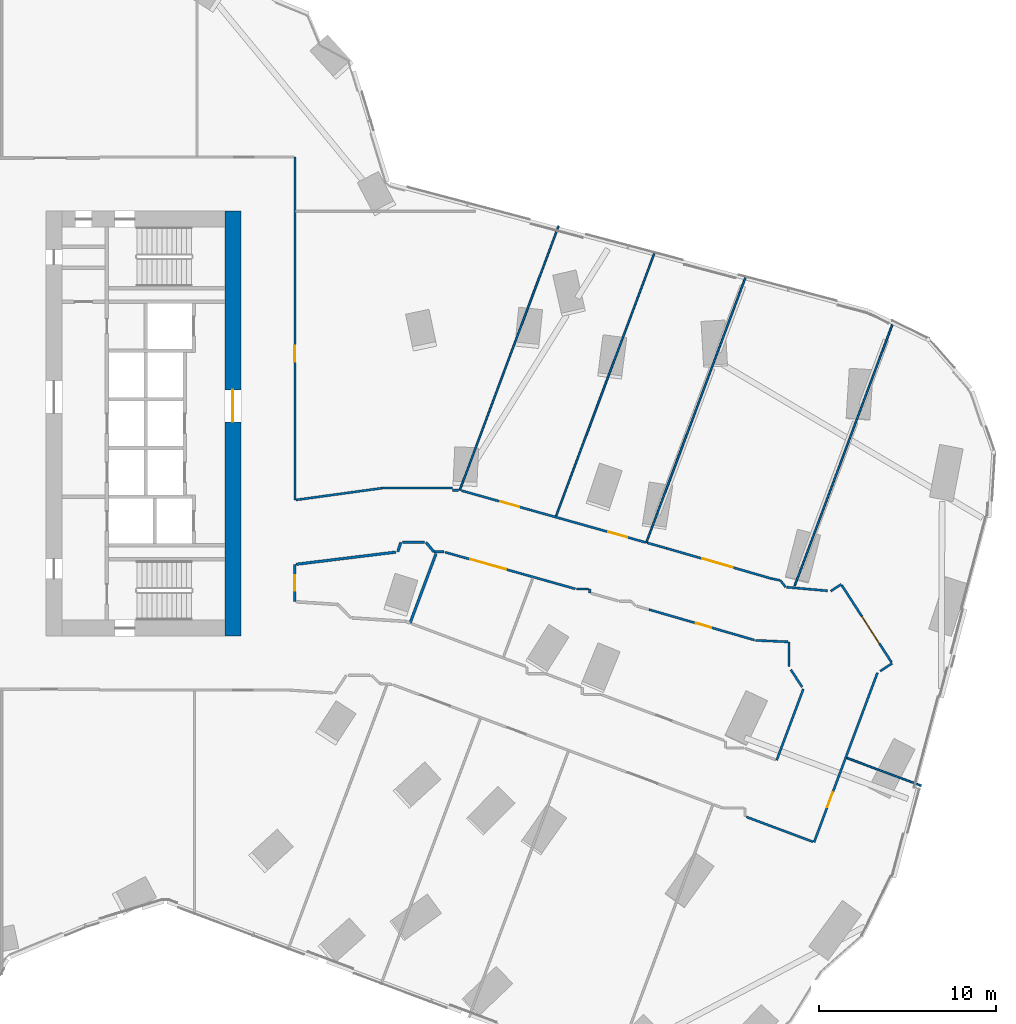
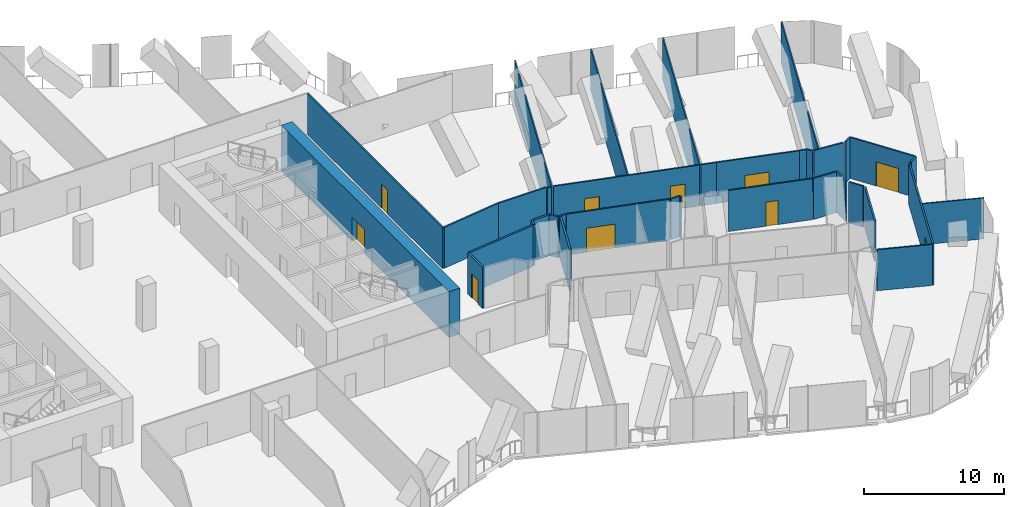
# One storey, part 29 of 34: 36 walls, 10 doors, 10 openings.
"""IFC4 building model written with IfcOpenShell, lengths in metres."""

from ifc_helpers import new_model, si_unit, direction, frame, frame_2d, origin, place, context, subcontext, project, spatial, rectangle, extrude, material, layer, layer_set, type_object, element, fill, save


model = new_model("IFC4")

# Units and contexts
model_context = context("Model", 3, precision=1e-05, world=origin(), true_north=direction((0.0, 1.0)))
body_context = subcontext(model_context, "Body", "Model", "MODEL_VIEW")
ifc_project = project(units=[si_unit("LENGTHUNIT", "METRE"), si_unit("AREAUNIT", "SQUARE_METRE"), si_unit("VOLUMEUNIT", "CUBIC_METRE"), si_unit("PLANEANGLEUNIT", "RADIAN"), si_unit("MASSUNIT", "GRAM", prefix="KILO")], contexts=[model_context])

# Site, building, storey
site_placement = place(None, origin())
site = spatial("IfcSite", under=ifc_project, at=site_placement, CompositionType="ELEMENT")
building_placement = place(site_placement, origin())
building = spatial("IfcBuilding", under=site, at=building_placement, Name="Orlundy Tower", CompositionType="ELEMENT")
storey_placement = place(building_placement, frame((0.0, 0.0, 98.199951171875)))
storey = spatial("IfcBuildingStorey", under=building, at=storey_placement, Name="L24", CompositionType="ELEMENT", Elevation=98.199951171875)

# Wall, opening, door
ifc_material_1 = material(Name="Concrete C80/95", Category="concrete")
ifc_layer_1 = layer(ifc_material_1, 0.89990234375)
ifc_layer_set_1 = layer_set([ifc_layer_1], Name="CORE WALL 900 C80/95")
wall_type_1 = type_object("IfcWallType", Name="CORE WALL 900 C80/95", PredefinedType="SHEAR", material=ifc_layer_set_1)
wall_1_placement = place(storey_placement, frame((18.550048828125, -12.0, 0.0), z_axis=(0.0, 0.0, 1.0), x_axis=(0.0, 1.0, 0.0)))
wall_1 = element("IfcWall", 1, at=wall_1_placement, inside=storey, type_object=wall_type_1, Name="Core wall E-E L24", PredefinedType="SHEAR", context=body_context, shape_type="SweptSolid", body=[
    extrude(rectangle(XDim=24.0, YDim=0.89990234375, at=frame_2d((12.0, 0.0))), origin(), (0.0, 0.0, 1.0), 4.0),
])
opening_1_placement = place(wall_1_placement, frame((12.10009765625, 0.0, 0.0)))
opening_1 = element("IfcOpeningElement", 2, at=opening_1_placement, cuts=wall_1, Name="Opening 19059", PredefinedType="OPENING", context=body_context, shape_type="SweptSolid", body=[
    extrude(rectangle(XDim=1.800048828125, YDim=2.10009765625, at=frame_2d((0.89990234375, 1.050048828125))), frame((0.0, 0.4599609375, 0.0), z_axis=(0.0, -1.0, 0.0), x_axis=(1.0, 0.0, 0.0)), (0.0, 0.0, 1.0), 0.919921875),
])
ifc_material_2 = material(Name="Timber door set", Category="wood")
door_type_1 = type_object("IfcDoorType", Name="Lobby Door 1800x2100", OperationType="DOUBLE_DOOR_DOUBLE_SWING", PredefinedType="DOOR", material=ifc_material_2)
door_1_placement = place(opening_1_placement, origin())
door_1 = element("IfcDoor", 3, at=door_1_placement, inside=storey, type_object=door_type_1, Name="Lift lobby door 19059", OperationType="SINGLE_SWING_RIGHT", OverallHeight=2.10009765625, OverallWidth=1.800048828125, PredefinedType="DOOR", context=body_context, shape_type="SweptSolid", body=[
    extrude(rectangle(XDim=1.800048828125, YDim=2.10009765625, at=frame_2d((0.89990234375, 1.050048828125))), frame((0.0, 0.02490234375, 0.0), z_axis=(0.0, -1.0, 0.0), x_axis=(1.0, 0.0, 0.0)), (0.0, 0.0, 1.0), 0.050048828125),
])
fill(opening_1, door_1)

# Walls
ifc_material_3 = material(Name="Gypsum board partition")
ifc_layer_2 = layer(ifc_material_3, 0.10009765625)
ifc_layer_set_2 = layer_set([ifc_layer_2], Name="Floor partition 100")
wall_type_2 = type_object("IfcWallType", Name="Floor partition 100", PredefinedType="PARTITIONING", material=ifc_layer_set_2)
wall_2_placement = place(storey_placement, frame((53.221923828125, -18.8779296875, 0.0), z_axis=(0.0, 0.0, 1.0), x_axis=(0.936641604778, -0.350289172254, 0.0)))
element("IfcWall", 4, at=wall_2_placement, inside=storey, type_object=wall_type_2, Name="wall-int-L24-029", PredefinedType="PARTITIONING", context=body_context, shape_type="SweptSolid", body=[
    extrude(rectangle(XDim=4.490478515625, YDim=0.10009765625, at=frame_2d((2.2451171875, 0.0))), origin(), (0.0, 0.0, 1.0), 3.580078125),
])
wall_3_placement = place(storey_placement, frame((50.277099609375, -9.157958984375, 0.0), z_axis=(0.0, 0.0, 1.0), x_axis=(0.350194162307, 0.936677131506, 0.0)))
element("IfcWall", 5, at=wall_3_placement, inside=storey, type_object=wall_type_2, Name="wall-int-L24-106", PredefinedType="PARTITIONING", context=body_context, shape_type="SweptSolid", body=[
    extrude(rectangle(XDim=16.010986328125, YDim=0.10009765625, at=frame_2d((8.00537109375, 0.0))), origin(), (0.0, 0.0, 1.0), 3.580078125),
])
wall_4_placement = place(storey_placement, frame((41.90087890625, -6.718017578125, 0.0), z_axis=(0.0, 0.0, 1.0), x_axis=(0.35023728631, 0.936661007664, 0.0)))
element("IfcWall", 6, at=wall_4_placement, inside=storey, type_object=wall_type_2, Name="wall-int-L24-108", PredefinedType="PARTITIONING", context=body_context, shape_type="SweptSolid", body=[
    extrude(rectangle(XDim=16.095458984375, YDim=0.10009765625, at=frame_2d((8.0478515625, 0.0))), origin(), (0.0, 0.0, 1.0), 3.580078125),
])
wall_5_placement = place(storey_placement, frame((36.802978515625, -5.219970703125, 0.0), z_axis=(0.0, 0.0, 1.0), x_axis=(0.350173943888, 0.936684690289, 0.0)))
element("IfcWall", 7, at=wall_5_placement, inside=storey, type_object=wall_type_2, Name="wall-int-L24-111", PredefinedType="PARTITIONING", context=body_context, shape_type="SweptSolid", body=[
    extrude(rectangle(XDim=15.951904296875, YDim=0.10009765625, at=frame_2d((7.97607421875, 0.0))), origin(), (0.0, 0.0, 1.0), 3.580078125),
])
wall_6_placement = place(storey_placement, frame((31.361083984375, -3.763916015625, 0.0), z_axis=(0.0, 0.0, 1.0), x_axis=(0.35022519788, 0.936665527694, 0.0)))
element("IfcWall", 8, at=wall_6_placement, inside=storey, type_object=wall_type_2, Name="wall-int-L24-114", PredefinedType="PARTITIONING", context=body_context, shape_type="SweptSolid", body=[
    extrude(rectangle(XDim=15.9384765625, YDim=0.10009765625, at=frame_2d((7.96923828125, 0.0))), origin(), (0.0, 0.0, 1.0), 3.580078125),
])

# Wall, opening, door
ifc_material_4 = material(Name="Gypsum board partition, double layer")
ifc_layer_3 = layer(ifc_material_4, 0.125)
ifc_layer_set_3 = layer_set([ifc_layer_3], Name="Floor partition 125")
wall_type_3 = type_object("IfcWallType", Name="Floor partition 125", PredefinedType="PARTITIONING", material=ifc_layer_set_3)
wall_7_placement = place(storey_placement, frame((52.93896484375, -9.1298828125, 0.0), z_axis=(0.0, 0.0, 1.0), x_axis=(0.542438130709, -0.840095753086, 0.0)))
wall_7 = element("IfcWall", 9, at=wall_7_placement, inside=storey, type_object=wall_type_3, Name="wall-int-L24-006", PredefinedType="PARTITIONING", context=body_context, shape_type="SweptSolid", body=[
    extrude(rectangle(XDim=5.180419921875, YDim=0.125, at=frame_2d((2.59033203125, 0.0))), origin(), (0.0, 0.0, 1.0), 3.580078125),
])
opening_2_placement = place(wall_7_placement, frame((2.096923828125, 0.0, 0.0)))
opening_2 = element("IfcOpeningElement", 10, at=opening_2_placement, cuts=wall_7, Name="Opening 19106", PredefinedType="OPENING", context=body_context, shape_type="SweptSolid", body=[
    extrude(rectangle(XDim=1.800048828125, YDim=2.10009765625, at=frame_2d((0.89990234375, 1.050048828125))), frame((0.0, 0.072509765625, 0.0), z_axis=(0.0, -1.0, 0.0), x_axis=(1.0, 0.0, 0.0)), (0.0, 0.0, 1.0), 0.14501953125),
])
ifc_material_5 = material(Name="Timber door leaf", Category="wood")
door_type_2 = type_object("IfcDoorType", Name="Floor door double 1800 FD30S", OperationType="NOTDEFINED", PredefinedType="DOOR", material=ifc_material_5)
door_2_placement = place(opening_2_placement, origin())
door_2 = element("IfcDoor", 11, at=door_2_placement, inside=storey, type_object=door_type_2, Name="Door 19106", OperationType="DOUBLE_DOOR_SINGLE_SWING", OverallHeight=2.10009765625, OverallWidth=1.800048828125, PredefinedType="DOOR", context=body_context, shape_type="SweptSolid", body=[
    extrude(rectangle(XDim=1.800048828125, YDim=2.10009765625, at=frame_2d((0.89990234375, 1.050048828125))), frame((0.0, 0.02490234375, 0.0), z_axis=(0.0, -1.0, 0.0), x_axis=(1.0, 0.0, 0.0)), (0.0, 0.0, 1.0), 0.050048828125),
])
fill(opening_2, door_2)

# Walls
wall_8_placement = place(storey_placement, frame((50.06591796875, -13.90087890625, 0.0), z_axis=(0.0, 0.0, 1.0), x_axis=(0.543589710843, -0.839351074501, 0.0)))
element("IfcWall", 12, at=wall_8_placement, inside=storey, type_object=wall_type_3, Name="wall-int-L24-007", PredefinedType="PARTITIONING", context=body_context, shape_type="SweptSolid", body=[
    extrude(rectangle(XDim=1.16650390625, YDim=0.125, at=frame_2d((0.583251953125, 0.0))), origin(), (0.0, 0.0, 1.0), 3.580078125),
])
wall_9_placement = place(storey_placement, frame((47.552001953125, -22.2109375, 0.0), z_axis=(0.0, 0.0, 1.0), x_axis=(0.936775397806, -0.349931213334, 0.0)))
element("IfcWall", 13, at=wall_9_placement, inside=storey, type_object=wall_type_3, Name="wall-int-L24-024", PredefinedType="PARTITIONING", context=body_context, shape_type="SweptSolid", body=[
    extrude(rectangle(XDim=4.01806640625, YDim=0.125, at=frame_2d((2.009033203125, 0.0))), origin(), (0.0, 0.0, 1.0), 3.580078125),
])

# Wall, opening, door
wall_10_placement = place(storey_placement, frame((48.008056640625, -12.22412109375, 0.0), z_axis=(0.0, 0.0, 1.0), x_axis=(-0.960600770435, 0.277931933825, 0.0)))
wall_10 = element("IfcWall", 14, at=wall_10_placement, inside=storey, type_object=wall_type_3, Name="wall-int-L24-031", PredefinedType="PARTITIONING", context=body_context, shape_type="SweptSolid", body=[
    extrude(rectangle(XDim=6.203369140625, YDim=0.125, at=frame_2d((3.1015625, 0.0))), origin(), (0.0, 0.0, 1.0), 3.580078125),
])
opening_3_placement = place(wall_10_placement, frame((2.53759765625, 0.0, 0.0)))
opening_3 = element("IfcOpeningElement", 15, at=opening_3_placement, cuts=wall_10, Name="Opening 19105", PredefinedType="OPENING", context=body_context, shape_type="SweptSolid", body=[
    extrude(rectangle(XDim=0.89990234375, YDim=2.10009765625, at=frame_2d((0.449951171875, 1.050048828125))), frame((0.0, 0.072509765625, 0.0), z_axis=(0.0, -1.0, 0.0), x_axis=(1.0, 0.0, 0.0)), (0.0, 0.0, 1.0), 0.14501953125),
])
ifc_material_6 = material(Name="Timber door leaf", Category="wood")
door_type_3 = type_object("IfcDoorType", Name="Floor door single 900 FD30S", OperationType="NOTDEFINED", PredefinedType="DOOR", material=ifc_material_6)
door_3_placement = place(opening_3_placement, origin())
door_3 = element("IfcDoor", 16, at=door_3_placement, inside=storey, type_object=door_type_3, Name="Door 19105", OperationType="SINGLE_SWING_LEFT", OverallHeight=2.10009765625, OverallWidth=0.89990234375, PredefinedType="DOOR", context=body_context, shape_type="SweptSolid", body=[
    extrude(rectangle(XDim=0.89990234375, YDim=2.10009765625, at=frame_2d((0.449951171875, 1.050048828125))), frame((0.0, 0.02490234375, 0.0), z_axis=(0.0, -1.0, 0.0), x_axis=(1.0, 0.0, 0.0)), (0.0, 0.0, 1.0), 0.050048828125),
])
fill(opening_3, door_3)

wall_11_placement = place(storey_placement, frame((43.037109375, -7.0380859375, 0.0), z_axis=(0.0, 0.0, 1.0), x_axis=(0.960661918232, -0.277720504932, 0.0)))
wall_11 = element("IfcWall", 17, at=wall_11_placement, inside=storey, type_object=wall_type_3, Name="wall-int-L24-032", PredefinedType="PARTITIONING", context=body_context, shape_type="SweptSolid", body=[
    extrude(rectangle(XDim=6.146484375, YDim=0.125, at=frame_2d((3.0732421875, 0.0))), origin(), (0.0, 0.0, 1.0), 3.580078125),
])
opening_4_placement = place(wall_11_placement, frame((2.10009765625, 0.0, 0.0)))
opening_4 = element("IfcOpeningElement", 18, at=opening_4_placement, cuts=wall_11, Name="Opening 19102", PredefinedType="OPENING", context=body_context, shape_type="SweptSolid", body=[
    extrude(rectangle(XDim=1.800048828125, YDim=2.10009765625, at=frame_2d((0.89990234375, 1.050048828125))), frame((0.0, 0.072509765625, 0.0), z_axis=(0.0, -1.0, 0.0), x_axis=(1.0, 0.0, 0.0)), (0.0, 0.0, 1.0), 0.14501953125),
])
door_4_placement = place(opening_4_placement, origin())
door_4 = element("IfcDoor", 19, at=door_4_placement, inside=storey, type_object=door_type_2, Name="Door 19102", OperationType="DOUBLE_DOOR_SINGLE_SWING", OverallHeight=2.10009765625, OverallWidth=1.800048828125, PredefinedType="DOOR", context=body_context, shape_type="SweptSolid", body=[
    extrude(rectangle(XDim=1.800048828125, YDim=2.10009765625, at=frame_2d((0.89990234375, 1.050048828125))), frame((0.0, 0.02490234375, 0.0), z_axis=(0.0, -1.0, 0.0), x_axis=(1.0, 0.0, 0.0)), (0.0, 0.0, 1.0), 0.050048828125),
])
fill(opening_4, door_4)

wall_12_placement = place(storey_placement, frame((37.885986328125, -9.330078125, 0.0), z_axis=(0.0, 0.0, 1.0), x_axis=(-0.96262020384, 0.270854837798, 0.0)))
wall_12 = element("IfcWall", 20, at=wall_12_placement, inside=storey, type_object=wall_type_3, Name="wall-int-L24-033", PredefinedType="PARTITIONING", context=body_context, shape_type="SweptSolid", body=[
    extrude(rectangle(XDim=7.635498046875, YDim=0.125, at=frame_2d((3.81787109375, 0.0))), origin(), (0.0, 0.0, 1.0), 3.580078125),
])
opening_5_placement = place(wall_12_placement, frame((4.06298828125, 0.0, 0.0)))
opening_5 = element("IfcOpeningElement", 21, at=opening_5_placement, cuts=wall_12, Name="Opening 19103", PredefinedType="OPENING", context=body_context, shape_type="SweptSolid", body=[
    extrude(rectangle(XDim=2.10009765625, YDim=2.10009765625, at=frame_2d((1.050048828125, 1.050048828125))), frame((0.0, 0.072509765625, 0.0), z_axis=(0.0, -1.0, 0.0), x_axis=(1.0, 0.0, 0.0)), (0.0, 0.0, 1.0), 0.14501953125),
])
ifc_material_7 = material(Name="Timber door leaf", Category="wood")
door_type_4 = type_object("IfcDoorType", Name="Floor door double 2100 FD30S", OperationType="NOTDEFINED", PredefinedType="DOOR", material=ifc_material_7)
door_5_placement = place(opening_5_placement, origin())
door_5 = element("IfcDoor", 22, at=door_5_placement, inside=storey, type_object=door_type_4, Name="Door 19103", OperationType="DOUBLE_DOOR_SINGLE_SWING", OverallHeight=2.10009765625, OverallWidth=2.10009765625, PredefinedType="DOOR", context=body_context, shape_type="SweptSolid", body=[
    extrude(rectangle(XDim=2.10009765625, YDim=2.10009765625, at=frame_2d((1.050048828125, 1.050048828125))), frame((0.0, 0.02490234375, 0.0), z_axis=(0.0, -1.0, 0.0), x_axis=(1.0, 0.0, 0.0)), (0.0, 0.0, 1.0), 0.050048828125),
])
fill(opening_5, door_5)

# Wall, openings, doors
wall_13_placement = place(storey_placement, frame((31.4580078125, -3.781982421875, 0.0), z_axis=(0.0, 0.0, 1.0), x_axis=(0.962639522341, -0.270786170301, 0.0)))
wall_13 = element("IfcWall", 23, at=wall_13_placement, inside=storey, type_object=wall_type_3, Name="wall-int-L24-036", PredefinedType="PARTITIONING", context=body_context, shape_type="SweptSolid", body=[
    extrude(rectangle(XDim=10.79833984375, YDim=0.125, at=frame_2d((5.399169921875, 0.0))), origin(), (0.0, 0.0, 1.0), 3.580078125),
])
opening_6_placement = place(wall_13_placement, frame((2.28759765625, 0.0, 0.0)))
opening_6 = element("IfcOpeningElement", 24, at=opening_6_placement, cuts=wall_13, Name="Opening 19100", PredefinedType="OPENING", context=body_context, shape_type="SweptSolid", body=[
    extrude(rectangle(XDim=1.10009765625, YDim=2.10009765625, at=frame_2d((0.550048828125, 1.050048828125))), frame((0.0, 0.072509765625, 0.0), z_axis=(0.0, -1.0, 0.0), x_axis=(1.0, 0.0, 0.0)), (0.0, 0.0, 1.0), 0.14501953125),
])
opening_7_placement = place(wall_13_placement, frame((8.62939453125, 0.0, 0.0)))
opening_7 = element("IfcOpeningElement", 25, at=opening_7_placement, cuts=wall_13, Name="Opening 19101", PredefinedType="OPENING", context=body_context, shape_type="SweptSolid", body=[
    extrude(rectangle(XDim=1.10009765625, YDim=2.10009765625, at=frame_2d((0.550048828125, 1.050048828125))), frame((0.0, 0.072509765625, 0.0), z_axis=(0.0, -1.0, 0.0), x_axis=(1.0, 0.0, 0.0)), (0.0, 0.0, 1.0), 0.14501953125),
])
ifc_material_8 = material(Name="Timber door leaf", Category="wood")
door_type_5 = type_object("IfcDoorType", Name="Floor door xwide 1100 FD30S", OperationType="NOTDEFINED", PredefinedType="DOOR", material=ifc_material_8)
door_6_placement = place(opening_6_placement, origin())
door_6 = element("IfcDoor", 26, at=door_6_placement, inside=storey, type_object=door_type_5, Name="Door 19100", OperationType="SINGLE_SWING_LEFT", OverallHeight=2.10009765625, OverallWidth=1.10009765625, PredefinedType="DOOR", context=body_context, shape_type="SweptSolid", body=[
    extrude(rectangle(XDim=1.10009765625, YDim=2.10009765625, at=frame_2d((0.550048828125, 1.050048828125))), frame((0.0, 0.02490234375, 0.0), z_axis=(0.0, -1.0, 0.0), x_axis=(1.0, 0.0, 0.0)), (0.0, 0.0, 1.0), 0.050048828125),
])
fill(opening_6, door_6)
door_7_placement = place(opening_7_placement, origin())
door_7 = element("IfcDoor", 27, at=door_7_placement, inside=storey, type_object=door_type_5, Name="Door 19101", OperationType="SINGLE_SWING_RIGHT", OverallHeight=2.10009765625, OverallWidth=1.10009765625, PredefinedType="DOOR", context=body_context, shape_type="SweptSolid", body=[
    extrude(rectangle(XDim=1.10009765625, YDim=2.10009765625, at=frame_2d((0.550048828125, 1.050048828125))), frame((0.0, 0.02490234375, 0.0), z_axis=(0.0, -1.0, 0.0), x_axis=(1.0, 0.0, 0.0)), (0.0, 0.0, 1.0), 0.050048828125),
])
fill(opening_7, door_7)

# Walls
wall_14_placement = place(storey_placement, frame((41.948974609375, -6.73193359375, 0.0), z_axis=(0.0, 0.0, 1.0), x_axis=(0.962624548839, -0.270839395164, 0.0)))
element("IfcWall", 28, at=wall_14_placement, inside=storey, type_object=wall_type_3, Name="wall-int-L24-037", PredefinedType="PARTITIONING", context=body_context, shape_type="SweptSolid", body=[
    extrude(rectangle(XDim=1.13037109375, YDim=0.125, at=frame_2d((0.565185546875, 0.0))), origin(), (0.0, 0.0, 1.0), 3.580078125),
])
wall_15_placement = place(storey_placement, frame((48.068115234375, -12.240966796875, 0.0), z_axis=(0.0, 0.0, 1.0), x_axis=(0.999033262009, -0.043960680164, 0.0)))
element("IfcWall", 29, at=wall_15_placement, inside=storey, type_object=wall_type_3, Name="wall-int-L24-038", PredefinedType="PARTITIONING", context=body_context, shape_type="SweptSolid", body=[
    extrude(rectangle(XDim=1.821533203125, YDim=0.125, at=frame_2d((0.91064453125, 0.0))), origin(), (0.0, 0.0, 1.0), 3.580078125),
])
wall_16_placement = place(storey_placement, frame((48.94189453125, -8.7451171875, 0.0), z_axis=(0.0, 0.0, 1.0), x_axis=(0.978349703119, -0.206958591044, 0.0)))
element("IfcWall", 30, at=wall_16_placement, inside=storey, type_object=wall_type_3, Name="wall-int-L24-039", PredefinedType="PARTITIONING", context=body_context, shape_type="SweptSolid", body=[
    extrude(rectangle(XDim=0.544921875, YDim=0.125, at=frame_2d((0.2724609375, 0.0))), origin(), (0.0, 0.0, 1.0), 3.580078125),
])
wall_17_placement = place(storey_placement, frame((52.135009765625, -9.44091796875, 0.0), z_axis=(0.0, 0.0, 1.0), x_axis=(-0.996118984803, 0.088016862678, 0.0)))
element("IfcWall", 31, at=wall_17_placement, inside=storey, type_object=wall_type_3, Name="wall-int-L24-040", PredefinedType="PARTITIONING", context=body_context, shape_type="SweptSolid", body=[
    extrude(rectangle(XDim=2.316162109375, YDim=0.125, at=frame_2d((1.158203125, 0.0))), origin(), (0.0, 0.0, 1.0), 3.580078125),
])
wall_18_placement = place(storey_placement, frame((37.946044921875, -9.345947265625, 0.0), z_axis=(0.0, 0.0, 1.0), x_axis=(1.0, 0.0, 0.0)))
element("IfcWall", 32, at=wall_18_placement, inside=storey, type_object=wall_type_3, Name="wall-int-L24-068", PredefinedType="PARTITIONING", context=body_context, shape_type="SweptSolid", body=[
    extrude(rectangle(XDim=0.696044921875, YDim=0.125, at=frame_2d((0.34814453125, 0.0))), origin(), (0.0, 0.0, 1.0), 3.580078125),
])
wall_19_placement = place(storey_placement, frame((30.9609375, -3.763916015625, 0.0), z_axis=(0.0, 0.0, 1.0), x_axis=(1.0, 0.0, 0.0)))
element("IfcWall", 33, at=wall_19_placement, inside=storey, type_object=wall_type_3, Name="wall-int-L24-072", PredefinedType="PARTITIONING", context=body_context, shape_type="SweptSolid", body=[
    extrude(rectangle(XDim=0.322998046875, YDim=0.125, at=frame_2d((0.16162109375, 0.0))), origin(), (0.0, 0.0, 1.0), 3.580078125),
])
wall_20_placement = place(storey_placement, frame((26.98193359375, -3.64111328125, 0.0), z_axis=(0.0, 0.0, 1.0), x_axis=(1.0, 0.0, 0.0)))
element("IfcWall", 34, at=wall_20_placement, inside=storey, type_object=wall_type_3, Name="wall-int-L24-073", PredefinedType="PARTITIONING", context=body_context, shape_type="SweptSolid", body=[
    extrude(rectangle(XDim=3.97802734375, YDim=0.125, at=frame_2d((1.989013671875, 0.0))), origin(), (0.0, 0.0, 1.0), 3.580078125),
])
wall_21_placement = place(storey_placement, frame((22.113037109375, -4.30908203125, 0.0), z_axis=(0.0, 0.0, 1.0), x_axis=(0.99074684638, 0.135722829279, 0.0)))
element("IfcWall", 35, at=wall_21_placement, inside=storey, type_object=wall_type_3, Name="wall-int-L24-083", PredefinedType="PARTITIONING", context=body_context, shape_type="SweptSolid", body=[
    extrude(rectangle(XDim=4.914306640625, YDim=0.125, at=frame_2d((2.45703125, 0.0))), origin(), (0.0, 0.0, 1.0), 3.580078125),
])
wall_22_placement = place(storey_placement, frame((55.110107421875, -13.97412109375, 0.0), z_axis=(0.0, 0.0, 1.0), x_axis=(0.839553834588, 0.543276503107, 0.0)))
element("IfcWall", 36, at=wall_22_placement, inside=storey, type_object=wall_type_3, Name="wall-int-L24-085", PredefinedType="PARTITIONING", context=body_context, shape_type="SweptSolid", body=[
    extrude(rectangle(XDim=0.802490234375, YDim=0.125, at=frame_2d((0.4013671875, 0.0))), origin(), (0.0, 0.0, 1.0), 3.580078125),
])
wall_23_placement = place(storey_placement, frame((52.31591796875, -9.45703125, 0.0), z_axis=(0.0, 0.0, 1.0), x_axis=(0.839850650114, 0.542817543474, 0.0)))
element("IfcWall", 37, at=wall_23_placement, inside=storey, type_object=wall_type_3, Name="wall-int-L24-086", PredefinedType="PARTITIONING", context=body_context, shape_type="SweptSolid", body=[
    extrude(rectangle(XDim=0.7001953125, YDim=0.125, at=frame_2d((0.35009765625, 0.0))), origin(), (0.0, 0.0, 1.0), 3.580078125),
])

# Wall, opening, door
wall_24_placement = place(storey_placement, frame((54.9541015625, -14.06494140625, 0.0), z_axis=(0.0, 0.0, 1.0), x_axis=(-0.350167821349, -0.936686979141, 0.0)))
wall_24 = element("IfcWall", 38, at=wall_24_placement, inside=storey, type_object=wall_type_3, Name="wall-int-L24-103", PredefinedType="PARTITIONING", context=body_context, shape_type="SweptSolid", body=[
    extrude(rectangle(XDim=10.22119140625, YDim=0.125, at=frame_2d((5.110595703125, 0.0))), origin(), (0.0, 0.0, 1.0), 3.580078125),
])
opening_8_placement = place(wall_24_placement, frame((7.215087890625, 0.0, 0.0)))
opening_8 = element("IfcOpeningElement", 39, at=opening_8_placement, cuts=wall_24, Name="Opening 19107", PredefinedType="OPENING", context=body_context, shape_type="SweptSolid", body=[
    extrude(rectangle(XDim=0.89990234375, YDim=2.10009765625, at=frame_2d((0.449951171875, 1.050048828125))), frame((0.0, 0.072509765625, 0.0), z_axis=(0.0, -1.0, 0.0), x_axis=(1.0, 0.0, 0.0)), (0.0, 0.0, 1.0), 0.14501953125),
])
door_8_placement = place(opening_8_placement, origin())
door_8 = element("IfcDoor", 40, at=door_8_placement, inside=storey, type_object=door_type_3, Name="Door 19107", OperationType="SINGLE_SWING_RIGHT", OverallHeight=2.10009765625, OverallWidth=0.89990234375, PredefinedType="DOOR", context=body_context, shape_type="SweptSolid", body=[
    extrude(rectangle(XDim=0.89990234375, YDim=2.10009765625, at=frame_2d((0.449951171875, 1.050048828125))), frame((0.0, 0.02490234375, 0.0), z_axis=(0.0, -1.0, 0.0), x_axis=(1.0, 0.0, 0.0)), (0.0, 0.0, 1.0), 0.050048828125),
])
fill(opening_8, door_8)

# Walls
wall_25_placement = place(storey_placement, frame((49.262939453125, -19.006103515625, 0.0), z_axis=(0.0, 0.0, 1.0), x_axis=(0.350363010059, 0.936613987287, 0.0)))
element("IfcWall", 41, at=wall_25_placement, inside=storey, type_object=wall_type_3, Name="wall-int-L24-104", PredefinedType="PARTITIONING", context=body_context, shape_type="SweptSolid", body=[
    extrude(rectangle(XDim=4.293212890625, YDim=0.125, at=frame_2d((2.146484375, 0.0))), origin(), (0.0, 0.0, 1.0), 3.580078125),
])
wall_26_placement = place(storey_placement, frame((49.949951171875, -13.720947265625, 0.0), z_axis=(0.0, 0.0, 1.0), x_axis=(0.0, 1.0, 0.0)))
element("IfcWall", 42, at=wall_26_placement, inside=storey, type_object=wall_type_3, Name="wall-int-L24-123", PredefinedType="PARTITIONING", context=body_context, shape_type="SweptSolid", body=[
    extrude(rectangle(XDim=1.39697265625, YDim=0.125, at=frame_2d((0.698486328125, 0.0))), origin(), (0.0, 0.0, 1.0), 3.580078125),
])
wall_27_placement = place(storey_placement, frame((49.76611328125, -9.23193359375, 0.0), z_axis=(0.0, 0.0, 1.0), x_axis=(-0.614083266095, 0.789241244679, 0.0)))
element("IfcWall", 43, at=wall_27_placement, inside=storey, type_object=wall_type_3, Name="wall-int-L24-124", PredefinedType="PARTITIONING", context=body_context, shape_type="SweptSolid", body=[
    extrude(rectangle(XDim=0.473876953125, YDim=0.125, at=frame_2d((0.23681640625, 0.0))), origin(), (0.0, 0.0, 1.0), 3.580078125),
])
wall_28_placement = place(storey_placement, frame((38.7041015625, -9.56005859375, 0.0), z_axis=(0.0, 0.0, 1.0), x_axis=(0.0, 1.0, 0.0)))
element("IfcWall", 44, at=wall_28_placement, inside=storey, type_object=wall_type_3, Name="wall-int-L24-128", PredefinedType="PARTITIONING", context=body_context, shape_type="SweptSolid", body=[
    extrude(rectangle(XDim=0.214111328125, YDim=0.125, at=frame_2d((0.10693359375, 0.0))), origin(), (0.0, 0.0, 1.0), 3.580078125),
])

# Wall, opening, door
wall_29_placement = place(storey_placement, frame((22.051025390625, 15.050048828125, 0.0), z_axis=(0.0, 0.0, 1.0), x_axis=(0.0, -1.0, 0.0)))
wall_29 = element("IfcWall", 45, at=wall_29_placement, inside=storey, type_object=wall_type_3, Name="wall-int-L24-134", PredefinedType="PARTITIONING", context=body_context, shape_type="SweptSolid", body=[
    extrude(rectangle(XDim=19.366943359375, YDim=0.125, at=frame_2d((9.68359375, 0.0))), origin(), (0.0, 0.0, 1.0), 3.580078125),
])
opening_9_placement = place(wall_29_placement, frame((10.64990234375, 0.0, 0.0)))
opening_9 = element("IfcOpeningElement", 46, at=opening_9_placement, cuts=wall_29, Name="Opening 19130", PredefinedType="OPENING", context=body_context, shape_type="SweptSolid", body=[
    extrude(rectangle(XDim=0.89990234375, YDim=2.10009765625, at=frame_2d((0.449951171875, 1.050048828125))), frame((0.0, 0.072509765625, 0.0), z_axis=(0.0, -1.0, 0.0), x_axis=(1.0, 0.0, 0.0)), (0.0, 0.0, 1.0), 0.14501953125),
])
door_9_placement = place(opening_9_placement, origin())
door_9 = element("IfcDoor", 47, at=door_9_placement, inside=storey, type_object=door_type_3, Name="Door 19130", OperationType="SINGLE_SWING_RIGHT", OverallHeight=2.10009765625, OverallWidth=0.89990234375, PredefinedType="DOOR", context=body_context, shape_type="SweptSolid", body=[
    extrude(rectangle(XDim=0.89990234375, YDim=2.10009765625, at=frame_2d((0.449951171875, 1.050048828125))), frame((0.0, 0.02490234375, 0.0), z_axis=(0.0, -1.0, 0.0), x_axis=(1.0, 0.0, 0.0)), (0.0, 0.0, 1.0), 0.050048828125),
])
fill(opening_9, door_9)

# Walls
ifc_material_9 = material(Name="Blockwork shaft wall", Category="masonry")
ifc_layer_4 = layer(ifc_material_9, 0.14990234375)
ifc_layer_set_4 = layer_set([ifc_layer_4], Name="Floor shaft wall 150")
wall_type_4 = type_object("IfcWallType", Name="Floor shaft wall 150", PredefinedType="PARTITIONING", material=ifc_layer_set_4)
wall_30_placement = place(storey_placement, frame((27.75, -7.256103515625, 0.0), z_axis=(0.0, 0.0, 1.0), x_axis=(-0.992623890573, -0.121234532468, 0.0)))
element("IfcWall", 48, at=wall_30_placement, inside=storey, type_object=wall_type_4, Name="wall-int-L24-069", PredefinedType="PARTITIONING", context=body_context, shape_type="SweptSolid", body=[
    extrude(rectangle(XDim=5.666748046875, YDim=0.14990234375, at=frame_2d((2.83349609375, 0.0))), origin(), (0.0, 0.0, 1.0), 3.580078125),
])
wall_31_placement = place(storey_placement, frame((29.905029296875, -7.241943359375, 0.0), z_axis=(0.0, 0.0, 1.0), x_axis=(1.0, 0.0, 0.0)))
element("IfcWall", 49, at=wall_31_placement, inside=storey, type_object=wall_type_4, Name="wall-int-L24-070", PredefinedType="PARTITIONING", context=body_context, shape_type="SweptSolid", body=[
    extrude(rectangle(XDim=0.55908203125, YDim=0.14990234375, at=frame_2d((0.279541015625, 0.0))), origin(), (0.0, 0.0, 1.0), 3.580078125),
])
wall_32_placement = place(storey_placement, frame((28.135009765625, -6.701904296875, 0.0), z_axis=(0.0, 0.0, 1.0), x_axis=(1.0, 0.0, 0.0)))
element("IfcWall", 50, at=wall_32_placement, inside=storey, type_object=wall_type_4, Name="wall-int-L24-071", PredefinedType="PARTITIONING", context=body_context, shape_type="SweptSolid", body=[
    extrude(rectangle(XDim=1.241943359375, YDim=0.14990234375, at=frame_2d((0.62109375, 0.0))), origin(), (0.0, 0.0, 1.0), 3.580078125),
])
wall_33_placement = place(storey_placement, frame((28.556884765625, -11.263916015625, 0.0), z_axis=(0.0, 0.0, 1.0), x_axis=(0.350228465556, 0.936664305883, 0.0)))
element("IfcWall", 51, at=wall_33_placement, inside=storey, type_object=wall_type_4, Name="wall-int-L24-113", PredefinedType="PARTITIONING", context=body_context, shape_type="SweptSolid", body=[
    extrude(rectangle(XDim=4.18603515625, YDim=0.14990234375, at=frame_2d((2.093017578125, 0.0))), origin(), (0.0, 0.0, 1.0), 3.580078125),
])
wall_34_placement = place(storey_placement, frame((27.864990234375, -7.241943359375, 0.0), z_axis=(0.0, 0.0, 1.0), x_axis=(0.29699658102, 0.954878542466, 0.0)))
element("IfcWall", 52, at=wall_34_placement, inside=storey, type_object=wall_type_4, Name="wall-int-L24-115", PredefinedType="PARTITIONING", context=body_context, shape_type="SweptSolid", body=[
    extrude(rectangle(XDim=0.565673828125, YDim=0.14990234375, at=frame_2d((0.28271484375, 0.0))), origin(), (0.0, 0.0, 1.0), 3.580078125),
])
wall_35_placement = place(storey_placement, frame((29.905029296875, -7.241943359375, 0.0), z_axis=(0.0, 0.0, 1.0), x_axis=(-0.642769647299, 0.766059514993, 0.0)))
element("IfcWall", 53, at=wall_35_placement, inside=storey, type_object=wall_type_4, Name="wall-int-L24-131", PredefinedType="PARTITIONING", context=body_context, shape_type="SweptSolid", body=[
    extrude(rectangle(XDim=0.705078125, YDim=0.14990234375, at=frame_2d((0.3525390625, 0.0))), origin(), (0.0, 0.0, 1.0), 3.580078125),
])

# Wall, opening, door
wall_36_placement = place(storey_placement, frame((22.051025390625, -7.951904296875, 0.0), z_axis=(0.0, 0.0, 1.0), x_axis=(0.0, -1.0, 0.0)))
wall_36 = element("IfcWall", 54, at=wall_36_placement, inside=storey, type_object=wall_type_4, Name="wall-int-L24-133", PredefinedType="PARTITIONING", context=body_context, shape_type="SweptSolid", body=[
    extrude(rectangle(XDim=2.10400390625, YDim=0.14990234375, at=frame_2d((1.052001953125, 0.0))), origin(), (0.0, 0.0, 1.0), 3.580078125),
])
opening_10_placement = place(wall_36_placement, frame((0.60009765625, 0.0, 0.0)))
opening_10 = element("IfcOpeningElement", 55, at=opening_10_placement, cuts=wall_36, Name="Opening 19121", PredefinedType="OPENING", context=body_context, shape_type="SweptSolid", body=[
    extrude(rectangle(XDim=0.89990234375, YDim=2.10009765625, at=frame_2d((0.449951171875, 1.050048828125))), frame((0.0, 0.0849609375, 0.0), z_axis=(0.0, -1.0, 0.0), x_axis=(1.0, 0.0, 0.0)), (0.0, 0.0, 1.0), 0.169921875),
])
ifc_material_10 = material(Name="Timber door leaf", Category="wood")
door_type_6 = type_object("IfcDoorType", Name="Floor door single 900 FD60", OperationType="NOTDEFINED", PredefinedType="DOOR", material=ifc_material_10)
door_10_placement = place(opening_10_placement, origin())
door_10 = element("IfcDoor", 56, at=door_10_placement, inside=storey, type_object=door_type_6, Name="Door 19121", OperationType="SINGLE_SWING_LEFT", OverallHeight=2.10009765625, OverallWidth=0.89990234375, PredefinedType="DOOR", context=body_context, shape_type="SweptSolid", body=[
    extrude(rectangle(XDim=0.89990234375, YDim=2.10009765625, at=frame_2d((0.449951171875, 1.050048828125))), frame((0.0, 0.02490234375, 0.0), z_axis=(0.0, -1.0, 0.0), x_axis=(1.0, 0.0, 0.0)), (0.0, 0.0, 1.0), 0.050048828125),
])
fill(opening_10, door_10)

save(model, "model.ifc")
